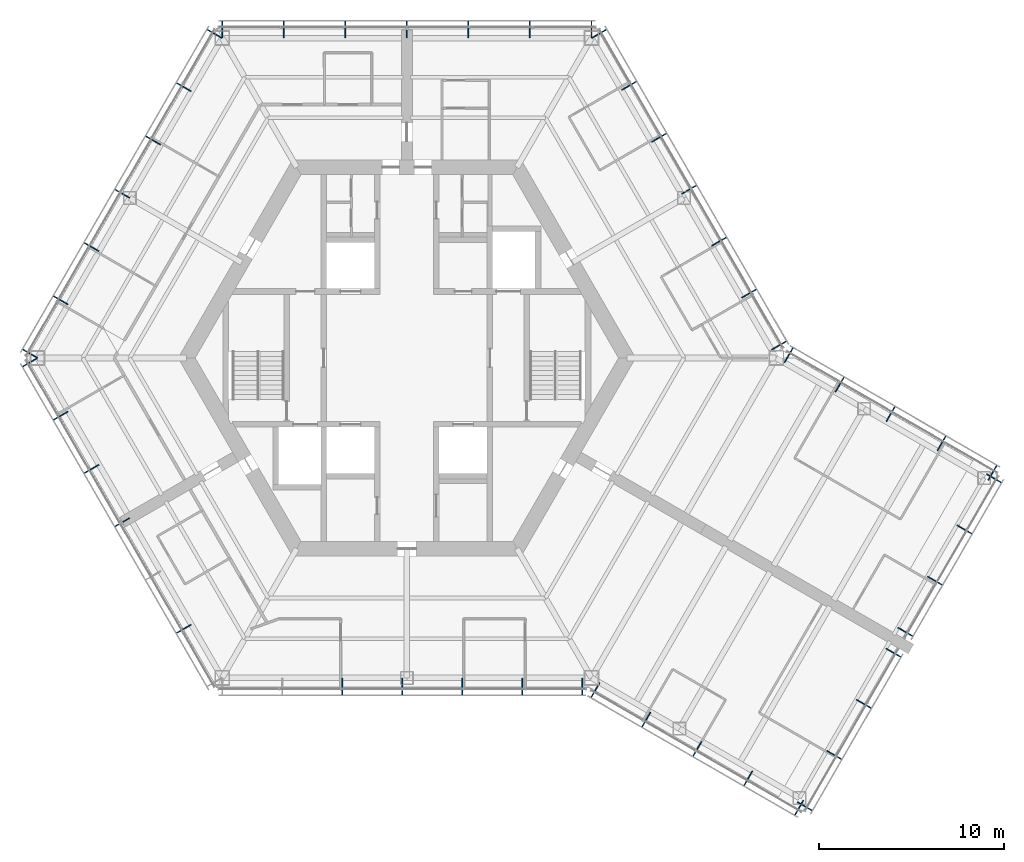
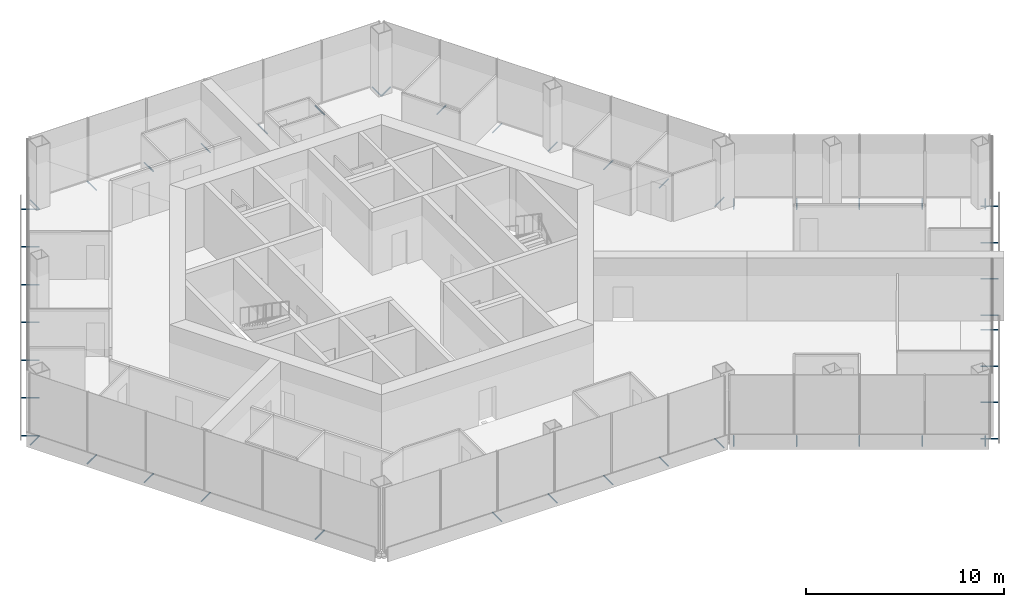
# One storey, part 14 of 16: 49 discrete accessories.
"""IFC4 building model written with IfcOpenShell, lengths in metres."""

from ifc_helpers import new_model, si_unit, direction, frame, origin, origin_2d, place, context, subcontext, project, spatial, hollow_circle, extrude, material, material_profile, profile_set, type_object, element, save


model = new_model("IFC4")

# Units and contexts
model_context = context("Model", 3, precision=1e-05, world=origin(), true_north=direction((0.0, 1.0)))
body_context = subcontext(model_context, "Body", "Model", "MODEL_VIEW")
ifc_project = project(units=[si_unit("LENGTHUNIT", "METRE"), si_unit("AREAUNIT", "SQUARE_METRE"), si_unit("VOLUMEUNIT", "CUBIC_METRE"), si_unit("PLANEANGLEUNIT", "RADIAN"), si_unit("MASSUNIT", "GRAM", prefix="KILO")], contexts=[model_context])

# Site, building, storey
site_placement = place(None, origin())
site = spatial("IfcSite", under=ifc_project, at=site_placement, CompositionType="ELEMENT")
building_placement = place(site_placement, origin())
building = spatial("IfcBuilding", under=site, at=building_placement, Name="Kasaneha Research Tower", CompositionType="ELEMENT")
storey_placement = place(building_placement, frame((0.0, 0.0, 251.800048828125)))
storey = spatial("IfcBuildingStorey", under=building, at=storey_placement, Name="L63", CompositionType="ELEMENT", Elevation=251.800048828125)

# Discrete accessories
ifc_material = material(Name="Steel STK400", Category="steel")
ifc_material_profile = material_profile(ifc_material, hollow_circle(Radius=0.0380859375, WallThickness=0.00390625, at=origin_2d()), Name="CHS-76.3x4.0")
ifc_profile_set = profile_set([ifc_material_profile], Name="Steel STK400")
discrete_accessory_type = type_object("IfcDiscreteAccessoryType", Name="Screen bracket CHS-76.3x4.0", PredefinedType="BRACKET", material=ifc_profile_set)
for number, where, z_axis, x_axis, name in (
    (1, (19.74462890625, 0.4423828125, -0.300048828125), (0.866013213425, 0.500021113727, 0.0), (-0.500021113727, 0.866013213425, 0.0), "Screen bracket 1"),
    (2, (18.120849609375, 3.2548828125, -0.300048828125), (0.866013213425, 0.500021113727, 0.0), (-0.500021113727, 0.866013213425, 0.0), "Screen bracket 2"),
    (3, (16.4970703125, 6.0673828125, -0.300048828125), (0.866013213425, 0.500021113727, 0.0), (-0.500021113727, 0.866013213425, 0.0), "Screen bracket 3"),
    (4, (14.873291015625, 8.8798828125, -0.300048828125), (0.866013213425, 0.500021113727, 0.0), (-0.500021113727, 0.866013213425, 0.0), "Screen bracket 4"),
    (5, (13.24951171875, 11.6923828125, -0.300048828125), (0.866013213425, 0.500021113727, 0.0), (-0.500021113727, 0.866013213425, 0.0), "Screen bracket 5"),
):
    element("IfcDiscreteAccessory", number, at=place(storey_placement, frame(where, z_axis=z_axis, x_axis=x_axis)), inside=storey, type_object=discrete_accessory_type, Name=name, PredefinedType="BRACKET", context=body_context, shape_type="SweptSolid", body=[
        extrude(hollow_circle(Radius=0.0380859375, WallThickness=0.00390625, at=origin_2d()), origin(), (0.0, 0.0, 1.0), 0.919921875),
    ])
for number, where, z_axis, x_axis, name in (
    (6, (11.62548828125, 14.5048828125, -0.300048828125), (0.866079547155, 0.499906209203, 0.0), (-0.499906209203, 0.866079547155, 0.0), "Screen bracket 6"),
    (7, (10.001708984375, 17.3173828125, -0.300048828125), (0.866079547155, 0.499906209203, 0.0), (-0.499906209203, 0.866079547155, 0.0), "Screen bracket 7"),
):
    element("IfcDiscreteAccessory", number, at=place(storey_placement, frame(where, z_axis=z_axis, x_axis=x_axis)), inside=storey, type_object=discrete_accessory_type, Name=name, PredefinedType="BRACKET", context=body_context, shape_type="SweptSolid", body=[
        extrude(hollow_circle(Radius=0.0380859375, WallThickness=0.00390625, at=origin_2d()), origin(), (0.0, 0.0, 1.0), 0.920166015625),
    ])
for number, where, z_axis, x_axis, name in (
    (8, (9.996337890625, 17.320556640625, -0.300048828125), (0.0, 1.0, 0.0), (-1.0, 0.0, 0.0), "Screen bracket 1"),
    (9, (6.664306640625, 17.320556640625, -0.300048828125), (0.0, 1.0, 0.0), (-1.0, 0.0, 0.0), "Screen bracket 2"),
    (10, (3.33203125, 17.320556640625, -0.300048828125), (0.0, 1.0, 0.0), (-1.0, 0.0, 0.0), "Screen bracket 3"),
    (11, (0.0, 17.320556640625, -0.300048828125), (0.0, 1.0, 0.0), (-1.0, 0.0, 0.0), "Screen bracket 4"),
    (12, (-3.33203125, 17.320556640625, -0.300048828125), (0.0, 1.0, 0.0), (-1.0, 0.0, 0.0), "Screen bracket 5"),
    (13, (-6.664306640625, 17.320556640625, -0.300048828125), (0.0, 1.0, 0.0), (-1.0, 0.0, 0.0), "Screen bracket 6"),
    (14, (-9.996337890625, 17.320556640625, -0.300048828125), (0.0, 1.0, 0.0), (-1.0, 0.0, 0.0), "Screen bracket 7"),
):
    element("IfcDiscreteAccessory", number, at=place(storey_placement, frame(where, z_axis=z_axis, x_axis=x_axis)), inside=storey, type_object=discrete_accessory_type, Name=name, PredefinedType="BRACKET", context=body_context, shape_type="SweptSolid", body=[
        extrude(hollow_circle(Radius=0.0380859375, WallThickness=0.00390625, at=origin_2d()), origin(), (0.0, 0.0, 1.0), 0.919921875),
    ])
discrete_accessory_1_placement = place(storey_placement, frame((-10.001708984375, 17.3173828125, -0.300048828125), z_axis=(-0.866079547155, 0.499906209203, 0.0), x_axis=(-0.499906209203, -0.866079547155, 0.0)))
element("IfcDiscreteAccessory", 15, at=discrete_accessory_1_placement, inside=storey, type_object=discrete_accessory_type, Name="Screen bracket 1", PredefinedType="BRACKET", context=body_context, shape_type="SweptSolid", body=[
    extrude(hollow_circle(Radius=0.0380859375, WallThickness=0.00390625, at=origin_2d()), origin(), (0.0, 0.0, 1.0), 0.920166015625),
])
for number, where, z_axis, x_axis, name in (
    (16, (-11.66796875, 14.431640625, -0.300048828125), (-0.866013213425, 0.500021113727, 0.0), (-0.500021113727, -0.866013213425, 0.0), "Screen bracket 2"),
    (17, (-13.333984375, 11.5458984375, -0.300048828125), (-0.866013213425, 0.500021113727, 0.0), (-0.500021113727, -0.866013213425, 0.0), "Screen bracket 3"),
    (18, (-15.0, 8.66015625, -0.300048828125), (-0.865898279276, 0.500220121494, 0.0), (-0.500220121494, -0.865898279276, 0.0), "Screen bracket 4"),
):
    element("IfcDiscreteAccessory", number, at=place(storey_placement, frame(where, z_axis=z_axis, x_axis=x_axis)), inside=storey, type_object=discrete_accessory_type, Name=name, PredefinedType="BRACKET", context=body_context, shape_type="SweptSolid", body=[
        extrude(hollow_circle(Radius=0.0380859375, WallThickness=0.00390625, at=origin_2d()), origin(), (0.0, 0.0, 1.0), 0.919921875),
    ])
for number, where, z_axis, x_axis, name in (
    (19, (-16.666015625, 5.774658203125, -0.300048828125), (-0.866079547155, 0.499906209203, 0.0), (-0.499906209203, -0.866079547155, 0.0), "Screen bracket 5"),
    (20, (-18.33203125, 2.888916015625, -0.300048828125), (-0.866079547155, 0.499906209203, 0.0), (-0.499906209203, -0.866079547155, 0.0), "Screen bracket 6"),
):
    element("IfcDiscreteAccessory", number, at=place(storey_placement, frame(where, z_axis=z_axis, x_axis=x_axis)), inside=storey, type_object=discrete_accessory_type, Name=name, PredefinedType="BRACKET", context=body_context, shape_type="SweptSolid", body=[
        extrude(hollow_circle(Radius=0.0380859375, WallThickness=0.00390625, at=origin_2d()), origin(), (0.0, 0.0, 1.0), 0.920166015625),
    ])
for number, where, z_axis, x_axis, name in (
    (21, (-19.998291015625, 0.003173828125, -0.300048828125), (-0.866013213425, 0.500021113727, 0.0), (-0.500021113727, -0.866013213425, 0.0), "Screen bracket 7"),
    (22, (-19.998291015625, -0.003173828125, -0.300048828125), (-0.866013213425, -0.500021113727, 0.0), (0.500021113727, -0.866013213425, 0.0), "Screen bracket 1"),
):
    element("IfcDiscreteAccessory", number, at=place(storey_placement, frame(where, z_axis=z_axis, x_axis=x_axis)), inside=storey, type_object=discrete_accessory_type, Name=name, PredefinedType="BRACKET", context=body_context, shape_type="SweptSolid", body=[
        extrude(hollow_circle(Radius=0.0380859375, WallThickness=0.00390625, at=origin_2d()), origin(), (0.0, 0.0, 1.0), 0.919921875),
    ])
for number, where, z_axis, x_axis, name in (
    (23, (-18.33203125, -2.888916015625, -0.300048828125), (-0.866079547155, -0.499906209203, 0.0), (0.499906209203, -0.866079547155, 0.0), "Screen bracket 2"),
    (24, (-16.666015625, -5.774658203125, -0.300048828125), (-0.866079547155, -0.499906209203, 0.0), (0.499906209203, -0.866079547155, 0.0), "Screen bracket 3"),
):
    element("IfcDiscreteAccessory", number, at=place(storey_placement, frame(where, z_axis=z_axis, x_axis=x_axis)), inside=storey, type_object=discrete_accessory_type, Name=name, PredefinedType="BRACKET", context=body_context, shape_type="SweptSolid", body=[
        extrude(hollow_circle(Radius=0.0380859375, WallThickness=0.00390625, at=origin_2d()), origin(), (0.0, 0.0, 1.0), 0.920166015625),
    ])
for number, where, z_axis, x_axis, name in (
    (25, (-15.0, -8.66015625, -0.300048828125), (-0.865898279276, -0.500220121494, 0.0), (0.500220121494, -0.865898279276, 0.0), "Screen bracket 4"),
    (26, (-11.66796875, -14.431640625, -0.300048828125), (-0.866013213425, -0.500021113727, 0.0), (0.500021113727, -0.866013213425, 0.0), "Screen bracket 6"),
    (27, (-3.501220703125, -17.320556640625, -0.300048828125), (0.0, -1.0, 0.0), (1.0, 0.0, 0.0), "Screen bracket 3"),
    (28, (-0.253662109375, -17.320556640625, -0.300048828125), (0.0, -1.0, 0.0), (1.0, 0.0, 0.0), "Screen bracket 4"),
    (29, (2.993896484375, -17.320556640625, -0.300048828125), (0.0, -1.0, 0.0), (1.0, 0.0, 0.0), "Screen bracket 5"),
    (30, (6.24169921875, -17.320556640625, -0.300048828125), (0.0, -1.0, 0.0), (1.0, 0.0, 0.0), "Screen bracket 6"),
    (31, (9.4892578125, -17.320556640625, -0.300048828125), (0.0, -1.0, 0.0), (1.0, 0.0, 0.0), "Screen bracket 7"),
    (32, (10.4423828125, -17.575927734375, -0.300048828125), (-0.500021113727, -0.866013213425, 0.0), (0.866013213425, -0.500021113727, 0.0), "Screen bracket 1"),
):
    element("IfcDiscreteAccessory", number, at=place(storey_placement, frame(where, z_axis=z_axis, x_axis=x_axis)), inside=storey, type_object=discrete_accessory_type, Name=name, PredefinedType="BRACKET", context=body_context, shape_type="SweptSolid", body=[
        extrude(hollow_circle(Radius=0.0380859375, WallThickness=0.00390625, at=origin_2d()), origin(), (0.0, 0.0, 1.0), 0.919921875),
    ])
discrete_accessory_2_placement = place(storey_placement, frame((13.200439453125, -19.168212890625, -0.300048828125), z_axis=(-0.499906209203, -0.866079547155, 0.0), x_axis=(0.866079547155, -0.499906209203, 0.0)))
element("IfcDiscreteAccessory", 33, at=discrete_accessory_2_placement, inside=storey, type_object=discrete_accessory_type, Name="Screen bracket 2", PredefinedType="BRACKET", context=body_context, shape_type="SweptSolid", body=[
    extrude(hollow_circle(Radius=0.0380859375, WallThickness=0.00390625, at=origin_2d()), origin(), (0.0, 0.0, 1.0), 0.920166015625),
])
discrete_accessory_3_placement = place(storey_placement, frame((15.95849609375, -20.7607421875, -0.300048828125), z_axis=(-0.500021113727, -0.866013213425, 0.0), x_axis=(0.866013213425, -0.500021113727, 0.0)))
element("IfcDiscreteAccessory", 34, at=discrete_accessory_3_placement, inside=storey, type_object=discrete_accessory_type, Name="Screen bracket 3", PredefinedType="BRACKET", context=body_context, shape_type="SweptSolid", body=[
    extrude(hollow_circle(Radius=0.0380859375, WallThickness=0.00390625, at=origin_2d()), origin(), (0.0, 0.0, 1.0), 0.919921875),
])
discrete_accessory_4_placement = place(storey_placement, frame((18.716796875, -22.35302734375, -0.300048828125), z_axis=(-0.500105201737, -0.865964657013, 0.0), x_axis=(0.865964657013, -0.500105201737, 0.0)))
element("IfcDiscreteAccessory", 35, at=discrete_accessory_4_placement, inside=storey, type_object=discrete_accessory_type, Name="Screen bracket 4", PredefinedType="BRACKET", context=body_context, shape_type="SweptSolid", body=[
    extrude(hollow_circle(Radius=0.0380859375, WallThickness=0.00390625, at=origin_2d()), origin(), (0.0, 0.0, 1.0), 0.920166015625),
])
discrete_accessory_5_placement = place(storey_placement, frame((21.474853515625, -23.945556640625, -0.300048828125), z_axis=(-0.500021113727, -0.866013213425, 0.0), x_axis=(0.866013213425, -0.500021113727, 0.0)))
element("IfcDiscreteAccessory", 36, at=discrete_accessory_5_placement, inside=storey, type_object=discrete_accessory_type, Name="Screen bracket 5", PredefinedType="BRACKET", context=body_context, shape_type="SweptSolid", body=[
    extrude(hollow_circle(Radius=0.0380859375, WallThickness=0.00390625, at=origin_2d()), origin(), (0.0, 0.0, 1.0), 0.919921875),
])
discrete_accessory_6_placement = place(storey_placement, frame((21.13330078125, -24.037109375, -0.300048828125), z_axis=(0.866079547155, -0.499906209203, 0.0), x_axis=(0.499906209203, 0.866079547155, 0.0)))
element("IfcDiscreteAccessory", 37, at=discrete_accessory_6_placement, inside=storey, type_object=discrete_accessory_type, Name="Screen bracket 1", PredefinedType="BRACKET", context=body_context, shape_type="SweptSolid", body=[
    extrude(hollow_circle(Radius=0.0380859375, WallThickness=0.00390625, at=origin_2d()), origin(), (0.0, 0.0, 1.0), 0.920166015625),
])
discrete_accessory_7_placement = place(storey_placement, frame((22.7333984375, -21.265625, -0.300048828125), z_axis=(0.865898279276, -0.500220121494, 0.0), x_axis=(0.500220121494, 0.865898279276, 0.0)))
element("IfcDiscreteAccessory", 38, at=discrete_accessory_7_placement, inside=storey, type_object=discrete_accessory_type, Name="Screen bracket 2", PredefinedType="BRACKET", context=body_context, shape_type="SweptSolid", body=[
    extrude(hollow_circle(Radius=0.0380859375, WallThickness=0.00390625, at=origin_2d()), origin(), (0.0, 0.0, 1.0), 0.919921875),
])
discrete_accessory_8_placement = place(storey_placement, frame((24.333251953125, -18.494384765625, -0.300048828125), z_axis=(0.866079547155, -0.499906209203, 0.0), x_axis=(0.499906209203, 0.866079547155, 0.0)))
element("IfcDiscreteAccessory", 39, at=discrete_accessory_8_placement, inside=storey, type_object=discrete_accessory_type, Name="Screen bracket 3", PredefinedType="BRACKET", context=body_context, shape_type="SweptSolid", body=[
    extrude(hollow_circle(Radius=0.0380859375, WallThickness=0.00390625, at=origin_2d()), origin(), (0.0, 0.0, 1.0), 0.920166015625),
])
discrete_accessory_9_placement = place(storey_placement, frame((25.933349609375, -15.72314453125, -0.300048828125), z_axis=(0.866013213425, -0.500021113727, 0.0), x_axis=(0.500021113727, 0.866013213425, 0.0)))
element("IfcDiscreteAccessory", 40, at=discrete_accessory_9_placement, inside=storey, type_object=discrete_accessory_type, Name="Screen bracket 4", PredefinedType="BRACKET", context=body_context, shape_type="SweptSolid", body=[
    extrude(hollow_circle(Radius=0.0380859375, WallThickness=0.00390625, at=origin_2d()), origin(), (0.0, 0.0, 1.0), 0.919921875),
])
discrete_accessory_10_placement = place(storey_placement, frame((26.583251953125, -14.597412109375, -0.300048828125), z_axis=(0.866079547155, -0.499906209203, 0.0), x_axis=(0.499906209203, 0.866079547155, 0.0)))
element("IfcDiscreteAccessory", 41, at=discrete_accessory_10_placement, inside=storey, type_object=discrete_accessory_type, Name="Screen bracket 1", PredefinedType="BRACKET", context=body_context, shape_type="SweptSolid", body=[
    extrude(hollow_circle(Radius=0.0380859375, WallThickness=0.00390625, at=origin_2d()), origin(), (0.0, 0.0, 1.0), 0.920166015625),
])
for number, where, z_axis, x_axis, name in (
    (42, (28.183349609375, -11.826171875, -0.300048828125), (0.866013213425, -0.500021113727, 0.0), (0.500021113727, 0.866013213425, 0.0), "Screen bracket 2"),
    (43, (29.783447265625, -9.0546875, -0.300048828125), (0.865898279276, -0.500220121494, 0.0), (0.500220121494, 0.865898279276, 0.0), "Screen bracket 3"),
):
    element("IfcDiscreteAccessory", number, at=place(storey_placement, frame(where, z_axis=z_axis, x_axis=x_axis)), inside=storey, type_object=discrete_accessory_type, Name=name, PredefinedType="BRACKET", context=body_context, shape_type="SweptSolid", body=[
        extrude(hollow_circle(Radius=0.0380859375, WallThickness=0.00390625, at=origin_2d()), origin(), (0.0, 0.0, 1.0), 0.919921875),
    ])
discrete_accessory_11_placement = place(storey_placement, frame((31.38330078125, -6.283447265625, -0.300048828125), z_axis=(0.866079547155, -0.499906209203, 0.0), x_axis=(0.499906209203, 0.866079547155, 0.0)))
element("IfcDiscreteAccessory", 44, at=discrete_accessory_11_placement, inside=storey, type_object=discrete_accessory_type, Name="Screen bracket 4", PredefinedType="BRACKET", context=body_context, shape_type="SweptSolid", body=[
    extrude(hollow_circle(Radius=0.0380859375, WallThickness=0.00390625, at=origin_2d()), origin(), (0.0, 0.0, 1.0), 0.920166015625),
])
discrete_accessory_12_placement = place(storey_placement, frame((31.474853515625, -6.625, -0.300048828125), z_axis=(0.500021113727, 0.866013213425, 0.0), x_axis=(-0.866013213425, 0.500021113727, 0.0)))
element("IfcDiscreteAccessory", 45, at=discrete_accessory_12_placement, inside=storey, type_object=discrete_accessory_type, Name="Screen bracket 1", PredefinedType="BRACKET", context=body_context, shape_type="SweptSolid", body=[
    extrude(hollow_circle(Radius=0.0380859375, WallThickness=0.00390625, at=origin_2d()), origin(), (0.0, 0.0, 1.0), 0.919921875),
])
discrete_accessory_13_placement = place(storey_placement, frame((28.716796875, -5.03271484375, -0.300048828125), z_axis=(0.499906209203, 0.866079547155, 0.0), x_axis=(-0.866079547155, 0.499906209203, 0.0)))
element("IfcDiscreteAccessory", 46, at=discrete_accessory_13_placement, inside=storey, type_object=discrete_accessory_type, Name="Screen bracket 2", PredefinedType="BRACKET", context=body_context, shape_type="SweptSolid", body=[
    extrude(hollow_circle(Radius=0.0380859375, WallThickness=0.00390625, at=origin_2d()), origin(), (0.0, 0.0, 1.0), 0.920166015625),
])
discrete_accessory_14_placement = place(storey_placement, frame((25.95849609375, -3.440185546875, -0.300048828125), z_axis=(0.500220121494, 0.865898279276, 0.0), x_axis=(-0.865898279276, 0.500220121494, 0.0)))
element("IfcDiscreteAccessory", 47, at=discrete_accessory_14_placement, inside=storey, type_object=discrete_accessory_type, Name="Screen bracket 3", PredefinedType="BRACKET", context=body_context, shape_type="SweptSolid", body=[
    extrude(hollow_circle(Radius=0.0380859375, WallThickness=0.00390625, at=origin_2d()), origin(), (0.0, 0.0, 1.0), 0.919921875),
])
discrete_accessory_15_placement = place(storey_placement, frame((23.200439453125, -1.847900390625, -0.300048828125), z_axis=(0.499906209203, 0.866079547155, 0.0), x_axis=(-0.866079547155, 0.499906209203, 0.0)))
element("IfcDiscreteAccessory", 48, at=discrete_accessory_15_placement, inside=storey, type_object=discrete_accessory_type, Name="Screen bracket 4", PredefinedType="BRACKET", context=body_context, shape_type="SweptSolid", body=[
    extrude(hollow_circle(Radius=0.0380859375, WallThickness=0.00390625, at=origin_2d()), origin(), (0.0, 0.0, 1.0), 0.920166015625),
])
discrete_accessory_16_placement = place(storey_placement, frame((20.4423828125, -0.25537109375, -0.300048828125), z_axis=(0.500021113727, 0.866013213425, 0.0), x_axis=(-0.866013213425, 0.500021113727, 0.0)))
element("IfcDiscreteAccessory", 49, at=discrete_accessory_16_placement, inside=storey, type_object=discrete_accessory_type, Name="Screen bracket 5", PredefinedType="BRACKET", context=body_context, shape_type="SweptSolid", body=[
    extrude(hollow_circle(Radius=0.0380859375, WallThickness=0.00390625, at=origin_2d()), origin(), (0.0, 0.0, 1.0), 0.919921875),
])

save(model, "model.ifc")
